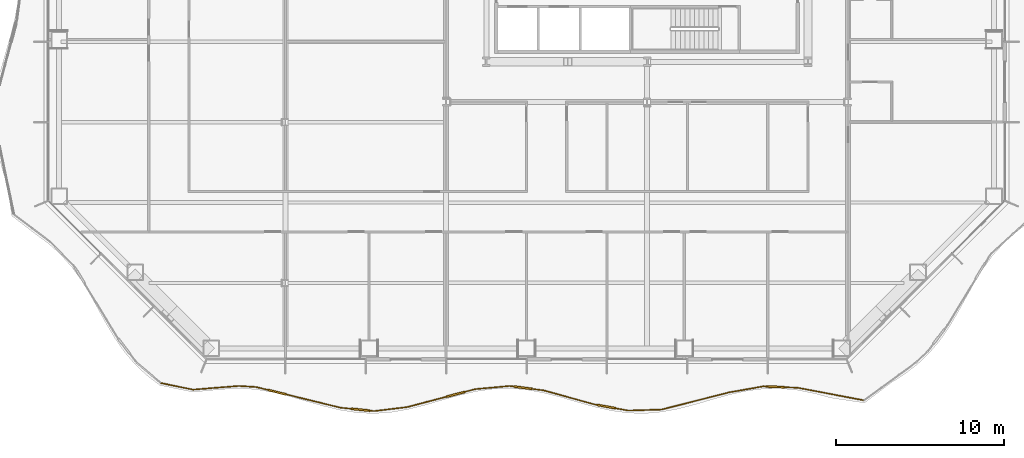
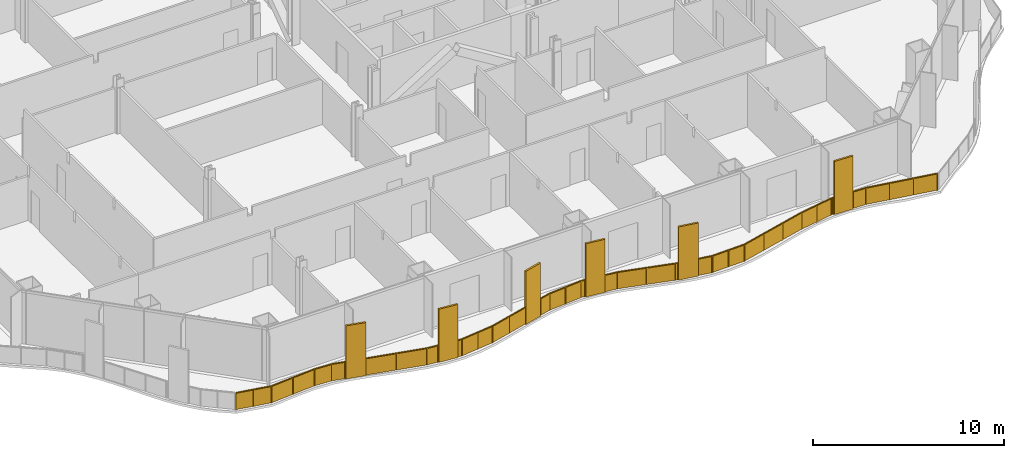
# One storey, part 15 of 20: 1 railing.
"""IFC4 building model written with IfcOpenShell, lengths in metres."""

from ifc_helpers import new_model, si_unit, direction, frame, origin, origin_2d, place, context, subcontext, project, spatial, polyline, rectangle, outline, extrude, material, type_object, element, save


model = new_model("IFC4")

# Units and contexts
model_context = context("Model", 3, precision=1e-05, world=origin(), true_north=direction((0.0, 1.0)))
body_context = subcontext(model_context, "Body", "Model", "MODEL_VIEW")
ifc_project = project(units=[si_unit("LENGTHUNIT", "METRE"), si_unit("AREAUNIT", "SQUARE_METRE"), si_unit("VOLUMEUNIT", "CUBIC_METRE"), si_unit("PLANEANGLEUNIT", "RADIAN"), si_unit("MASSUNIT", "GRAM", prefix="KILO")], contexts=[model_context])

# Site, building, storey
site_placement = place(None, origin())
site = spatial("IfcSite", under=ifc_project, at=site_placement, CompositionType="ELEMENT")
building_placement = place(site_placement, origin())
building = spatial("IfcBuilding", under=site, at=building_placement, Name="Cairn Pilgrim Tower", CompositionType="ELEMENT")
storey_placement = place(building_placement, frame((0.0, 0.0, 61.800048828125)))
storey = spatial("IfcBuildingStorey", under=building, at=storey_placement, Name="L13", CompositionType="ELEMENT", Elevation=61.800048828125)

# Railing
ifc_material = material(Name="Bronze anodised aluminium rail, posts and fin screens with laminated glass infill", Category="aluminium")
railing_type = type_object("IfcRailingType", Name="BALCONY GUARD WITH FIN SCREENS", PredefinedType="GUARDRAIL", material=ifc_material)
railing_placement = place(storey_placement, frame((-21.821044921875, -25.177734375, 0.0)))
element("IfcRailing", 1, at=railing_placement, inside=storey, type_object=railing_type, Name="Balcony guard BGF-8 with fin screens", PredefinedType="GUARDRAIL", context=body_context, shape_type="SweptSolid", body=[
    extrude(rectangle(XDim=0.050048828125, YDim=0.050048828125, at=origin_2d()), frame((0.0, 0.0, 1.0751953125), z_axis=(0.979883776445, -0.199568997239, 0.0), x_axis=(0.199568997239, 0.979883776445, 0.0)), (0.0, 0.0, 1.0), 1.957275390625),
    extrude(rectangle(XDim=0.050048828125, YDim=0.050048828125, at=origin_2d()), frame((1.91796875, -0.390625, 1.0751953125), z_axis=(0.996787936662, 0.080086261769, 0.0), x_axis=(-0.080086261769, 0.996787936662, 0.0)), (0.0, 0.0, 1.0), 2.7314453125),
    extrude(rectangle(XDim=0.050048828125, YDim=0.050048828125, at=origin_2d()), frame((4.640625, -0.171875, 1.0751953125), z_axis=(0.998193842621, -0.060075390576, 0.0), x_axis=(0.060075390576, 0.998193842621, 0.0)), (0.0, 0.0, 1.0), 1.036376953125),
    extrude(rectangle(XDim=1.10009765625, YDim=0.110107421875, at=origin_2d()), frame((6.9384765625, -0.54345703125, 0.0), z_axis=(0.0, 0.0, 1.0), x_axis=(0.971322740199, -0.237764872033, 0.0)), (0.0, 0.0, 1.0), 3.39990234375),
    extrude(rectangle(XDim=0.050048828125, YDim=0.050048828125, at=origin_2d()), frame((5.675048828125, -0.234130859375, 1.0751953125), z_axis=(0.971322740199, -0.237764872033, 0.0), x_axis=(0.237764872033, 0.971322740199, 0.0)), (0.0, 0.0, 1.0), 0.750732421875),
    extrude(rectangle(XDim=0.050048828125, YDim=0.050048828125, at=origin_2d()), frame((7.472900390625, -0.674072265625, 1.0751953125), z_axis=(0.971322740199, -0.237764872033, 0.0), x_axis=(0.237764872033, 0.971322740199, 0.0)), (0.0, 0.0, 1.0), 3.35400390625),
    extrude(rectangle(XDim=1.10009765625, YDim=0.110107421875, at=origin_2d()), frame((11.919921875, -1.59033203125, 0.0), z_axis=(0.0, 0.0, 1.0), x_axis=(0.995057676602, -0.099298641659, 0.0)), (0.0, 0.0, 1.0), 3.39990234375),
    extrude(rectangle(XDim=0.050048828125, YDim=0.050048828125, at=origin_2d()), frame((10.730712890625, -1.4716796875, 1.0751953125), z_axis=(0.995057676602, -0.099298641659, 0.0), x_axis=(0.099298641659, 0.995057676602, 0.0)), (0.0, 0.0, 1.0), 0.64501953125),
    extrude(rectangle(XDim=0.050048828125, YDim=0.050048828125, at=origin_2d()), frame((12.467041015625, -1.64501953125, 1.0751953125), z_axis=(0.995057676602, -0.099298641659, 0.0), x_axis=(0.099298641659, 0.995057676602, 0.0)), (0.0, 0.0, 1.0), 0.2587890625),
    extrude(rectangle(XDim=0.050048828125, YDim=0.050048828125, at=origin_2d()), frame((12.724609375, -1.670654296875, 1.0751953125), z_axis=(0.992678251449, 0.120788613287, 0.0), x_axis=(-0.120788613287, 0.992678251449, 0.0)), (0.0, 0.0, 1.0), 2.009033203125),
    extrude(rectangle(XDim=1.10009765625, YDim=0.110107421875, at=origin_2d()), frame((17.575927734375, -0.67333984375, 0.0), z_axis=(0.0, 0.0, 1.0), x_axis=(0.966851144453, 0.255340683145, 0.0)), (0.0, 0.0, 1.0), 3.39990234375),
    extrude(rectangle(XDim=0.050048828125, YDim=0.050048828125, at=origin_2d()), frame((14.718994140625, -1.427978515625, 1.0751953125), z_axis=(0.966851144453, 0.255340683145, 0.0), x_axis=(-0.255340683145, 0.966851144453, 0.0)), (0.0, 0.0, 1.0), 2.405029296875),
    extrude(rectangle(XDim=0.050048828125, YDim=0.050048828125, at=origin_2d()), frame((18.10791015625, -0.532958984375, 1.0751953125), z_axis=(0.966851144453, 0.255340683145, 0.0), x_axis=(-0.255340683145, 0.966851144453, 0.0)), (0.0, 0.0, 1.0), 0.677978515625),
    extrude(rectangle(XDim=0.050048828125, YDim=0.050048828125, at=origin_2d()), frame((18.763427734375, -0.35986328125, 1.0751953125), z_axis=(0.995886398722, 0.09061060005, 0.0), x_axis=(-0.09061060005, 0.995886398722, 0.0)), (0.0, 0.0, 1.0), 2.05859375),
    extrude(rectangle(XDim=1.10009765625, YDim=0.110107421875, at=origin_2d()), frame((21.59912109375, -0.275634765625, 0.0), z_axis=(0.0, 0.0, 1.0), x_axis=(0.991616883413, -0.129212834236, 0.0)), (0.0, 0.0, 1.0), 3.39990234375),
    extrude(rectangle(XDim=0.050048828125, YDim=0.050048828125, at=origin_2d()), frame((20.8134765625, -0.17333984375, 1.0751953125), z_axis=(0.991616883413, -0.129212834236, 0.0), x_axis=(0.129212834236, 0.991616883413, 0.0)), (0.0, 0.0, 1.0), 0.242431640625),
    extrude(rectangle(XDim=0.050048828125, YDim=0.050048828125, at=origin_2d()), frame((22.14453125, -0.3466796875, 1.0751953125), z_axis=(0.991616883413, -0.129212834236, 0.0), x_axis=(0.129212834236, 0.991616883413, 0.0)), (0.0, 0.0, 1.0), 0.72265625),
    extrude(rectangle(XDim=0.050048828125, YDim=0.050048828125, at=origin_2d()), frame((22.861328125, -0.440185546875, 1.0751953125), z_axis=(0.964002899306, -0.265891726329, 0.0), x_axis=(0.265891726329, 0.964002899306, 0.0)), (0.0, 0.0, 1.0), 3.1484375),
    extrude(rectangle(XDim=1.10009765625, YDim=0.110107421875, at=origin_2d()), frame((26.58544921875, -1.402587890625, 0.0), z_axis=(0.0, 0.0, 1.0), x_axis=(0.983885287181, -0.178800843591, 0.0)), (0.0, 0.0, 1.0), 3.39990234375),
    extrude(rectangle(XDim=0.050048828125, YDim=0.050048828125, at=origin_2d()), frame((25.896484375, -1.27734375, 1.0751953125), z_axis=(0.983885287181, -0.178800843591, 0.0), x_axis=(0.178800843591, 0.983885287181, 0.0)), (0.0, 0.0, 1.0), 0.150146484375),
    extrude(rectangle(XDim=0.050048828125, YDim=0.050048828125, at=origin_2d()), frame((27.12646484375, -1.5009765625, 1.0751953125), z_axis=(0.983885287181, -0.178800843591, 0.0), x_axis=(0.178800843591, 0.983885287181, 0.0)), (0.0, 0.0, 1.0), 0.78173828125),
    extrude(rectangle(XDim=0.050048828125, YDim=0.050048828125, at=origin_2d()), frame((27.8955078125, -1.640625, 1.0751953125), z_axis=(0.999529397147, 0.030675466399, 0.0), x_axis=(-0.030675466399, 0.999529397147, 0.0)), (0.0, 0.0, 1.0), 1.98974609375),
    extrude(rectangle(XDim=0.050048828125, YDim=0.050048828125, at=origin_2d()), frame((29.88427734375, -1.57958984375, 1.0751953125), z_axis=(0.969034911009, 0.246923755936, 0.0), x_axis=(-0.246923755936, 0.969034911009, 0.0)), (0.0, 0.0, 1.0), 4.16064453125),
    extrude(rectangle(XDim=0.050048828125, YDim=0.050048828125, at=origin_2d()), frame((33.916015625, -0.55224609375, 1.0751953125), z_axis=(0.985151194634, 0.171689032008, 0.0), x_axis=(-0.171689032008, 0.985151194634, 0.0)), (0.0, 0.0, 1.0), 2.0732421875),
    extrude(rectangle(XDim=1.10009765625, YDim=0.110107421875, at=origin_2d()), frame((36.657958984375, -0.224365234375, 0.0), z_axis=(0.0, 0.0, 1.0), x_axis=(0.999194094407, -0.040139278795, 0.0)), (0.0, 0.0, 1.0), 3.39990234375),
    extrude(rectangle(XDim=0.050048828125, YDim=0.050048828125, at=origin_2d()), frame((35.95849609375, -0.1962890625, 1.0751953125), z_axis=(0.999194094407, -0.040139278795, 0.0), x_axis=(0.040139278795, 0.999194094407, 0.0)), (0.0, 0.0, 1.0), 0.150146484375),
    extrude(rectangle(XDim=0.050048828125, YDim=0.050048828125, at=origin_2d()), frame((37.20751953125, -0.24658203125, 1.0751953125), z_axis=(0.999194094407, -0.040139278795, 0.0), x_axis=(0.040139278795, 0.999194094407, 0.0)), (0.0, 0.0, 1.0), 0.7998046875),
    extrude(rectangle(XDim=0.050048828125, YDim=0.050048828125, at=origin_2d()), frame((38.006591796875, -0.278564453125, 1.0751953125), z_axis=(0.982461085783, -0.186467731586, 0.0), x_axis=(0.186467731586, 0.982461085783, 0.0)), (0.0, 0.0, 1.0), 3.9697265625),
    extrude(rectangle(XDim=0.050048828125, YDim=0.050048828125, at=origin_2d()), origin(), (0.0, 0.0, 1.0), 1.050048828125),
    extrude(rectangle(XDim=0.050048828125, YDim=0.050048828125, at=origin_2d()), frame((0.958984375, -0.1953125, 0.0)), (0.0, 0.0, 1.0), 1.050048828125),
    extrude(rectangle(XDim=0.050048828125, YDim=0.050048828125, at=origin_2d()), frame((1.91796875, -0.390625, 0.0)), (0.0, 0.0, 1.0), 1.050048828125),
    extrude(rectangle(XDim=0.050048828125, YDim=0.050048828125, at=origin_2d()), frame((3.279296875, -0.28125, 0.0)), (0.0, 0.0, 1.0), 1.050048828125),
    extrude(rectangle(XDim=0.050048828125, YDim=0.050048828125, at=origin_2d()), frame((4.640625, -0.171875, 0.0)), (0.0, 0.0, 1.0), 1.050048828125),
    extrude(rectangle(XDim=0.050048828125, YDim=0.050048828125, at=origin_2d()), frame((5.675048828125, -0.234130859375, 0.0)), (0.0, 0.0, 1.0), 1.050048828125),
    extrude(rectangle(XDim=0.050048828125, YDim=0.050048828125, at=origin_2d()), frame((6.380126953125, -0.40673828125, 0.0)), (0.0, 0.0, 1.0), 1.050048828125),
    extrude(rectangle(XDim=0.050048828125, YDim=0.050048828125, at=origin_2d()), frame((7.4970703125, -0.68017578125, 0.0)), (0.0, 0.0, 1.0), 1.050048828125),
    extrude(rectangle(XDim=0.050048828125, YDim=0.050048828125, at=origin_2d()), frame((9.114013671875, -1.075927734375, 0.0)), (0.0, 0.0, 1.0), 1.050048828125),
    extrude(rectangle(XDim=0.050048828125, YDim=0.050048828125, at=origin_2d()), frame((10.730712890625, -1.4716796875, 0.0)), (0.0, 0.0, 1.0), 1.050048828125),
    extrude(rectangle(XDim=0.050048828125, YDim=0.050048828125, at=origin_2d()), frame((11.34765625, -1.533203125, 0.0)), (0.0, 0.0, 1.0), 1.050048828125),
    extrude(rectangle(XDim=0.050048828125, YDim=0.050048828125, at=origin_2d()), frame((12.491943359375, -1.6474609375, 0.0)), (0.0, 0.0, 1.0), 1.050048828125),
    extrude(rectangle(XDim=0.050048828125, YDim=0.050048828125, at=origin_2d()), frame((12.724609375, -1.670654296875, 0.0)), (0.0, 0.0, 1.0), 1.050048828125),
    extrude(rectangle(XDim=0.050048828125, YDim=0.050048828125, at=origin_2d()), frame((13.7216796875, -1.54931640625, 0.0)), (0.0, 0.0, 1.0), 1.050048828125),
    extrude(rectangle(XDim=0.050048828125, YDim=0.050048828125, at=origin_2d()), frame((14.718994140625, -1.427978515625, 0.0)), (0.0, 0.0, 1.0), 1.050048828125),
    extrude(rectangle(XDim=0.050048828125, YDim=0.050048828125, at=origin_2d()), frame((15.86962890625, -1.1240234375, 0.0)), (0.0, 0.0, 1.0), 1.050048828125),
    extrude(rectangle(XDim=0.050048828125, YDim=0.050048828125, at=origin_2d()), frame((17.02001953125, -0.8203125, 0.0)), (0.0, 0.0, 1.0), 1.050048828125),
    extrude(rectangle(XDim=0.050048828125, YDim=0.050048828125, at=origin_2d()), frame((18.132080078125, -0.526611328125, 0.0)), (0.0, 0.0, 1.0), 1.050048828125),
    extrude(rectangle(XDim=0.050048828125, YDim=0.050048828125, at=origin_2d()), frame((18.763427734375, -0.35986328125, 0.0)), (0.0, 0.0, 1.0), 1.050048828125),
    extrude(rectangle(XDim=0.050048828125, YDim=0.050048828125, at=origin_2d()), frame((19.78857421875, -0.2666015625, 0.0)), (0.0, 0.0, 1.0), 1.050048828125),
    extrude(rectangle(XDim=0.050048828125, YDim=0.050048828125, at=origin_2d()), frame((20.8134765625, -0.17333984375, 0.0)), (0.0, 0.0, 1.0), 1.050048828125),
    extrude(rectangle(XDim=0.050048828125, YDim=0.050048828125, at=origin_2d()), frame((21.029052734375, -0.201416015625, 0.0)), (0.0, 0.0, 1.0), 1.050048828125),
    extrude(rectangle(XDim=0.050048828125, YDim=0.050048828125, at=origin_2d()), frame((22.16943359375, -0.35009765625, 0.0)), (0.0, 0.0, 1.0), 1.050048828125),
    extrude(rectangle(XDim=0.050048828125, YDim=0.050048828125, at=origin_2d()), frame((22.861328125, -0.440185546875, 0.0)), (0.0, 0.0, 1.0), 1.050048828125),
    extrude(rectangle(XDim=0.050048828125, YDim=0.050048828125, at=origin_2d()), frame((24.37890625, -0.85888671875, 0.0)), (0.0, 0.0, 1.0), 1.050048828125),
    extrude(rectangle(XDim=0.050048828125, YDim=0.050048828125, at=origin_2d()), frame((25.896484375, -1.27734375, 0.0)), (0.0, 0.0, 1.0), 1.050048828125),
    extrude(rectangle(XDim=0.050048828125, YDim=0.050048828125, at=origin_2d()), frame((26.01953125, -1.2998046875, 0.0)), (0.0, 0.0, 1.0), 1.050048828125),
    extrude(rectangle(XDim=0.050048828125, YDim=0.050048828125, at=origin_2d()), frame((27.151123046875, -1.50537109375, 0.0)), (0.0, 0.0, 1.0), 1.050048828125),
    extrude(rectangle(XDim=0.050048828125, YDim=0.050048828125, at=origin_2d()), frame((27.8955078125, -1.640625, 0.0)), (0.0, 0.0, 1.0), 1.050048828125),
    extrude(rectangle(XDim=0.050048828125, YDim=0.050048828125, at=origin_2d()), frame((28.889892578125, -1.610107421875, 0.0)), (0.0, 0.0, 1.0), 1.050048828125),
    extrude(rectangle(XDim=0.050048828125, YDim=0.050048828125, at=origin_2d()), frame((29.88427734375, -1.57958984375, 0.0)), (0.0, 0.0, 1.0), 1.050048828125),
    extrude(rectangle(XDim=0.050048828125, YDim=0.050048828125, at=origin_2d()), frame((31.228271484375, -1.237060546875, 0.0)), (0.0, 0.0, 1.0), 1.050048828125),
    extrude(rectangle(XDim=0.050048828125, YDim=0.050048828125, at=origin_2d()), frame((32.572021484375, -0.894775390625, 0.0)), (0.0, 0.0, 1.0), 1.050048828125),
    extrude(rectangle(XDim=0.050048828125, YDim=0.050048828125, at=origin_2d()), frame((33.916015625, -0.55224609375, 0.0)), (0.0, 0.0, 1.0), 1.050048828125),
    extrude(rectangle(XDim=0.050048828125, YDim=0.050048828125, at=origin_2d()), frame((34.937255859375, -0.374267578125, 0.0)), (0.0, 0.0, 1.0), 1.050048828125),
    extrude(rectangle(XDim=0.050048828125, YDim=0.050048828125, at=origin_2d()), frame((35.95849609375, -0.1962890625, 0.0)), (0.0, 0.0, 1.0), 1.050048828125),
    extrude(rectangle(XDim=0.050048828125, YDim=0.050048828125, at=origin_2d()), frame((36.08349609375, -0.201416015625, 0.0)), (0.0, 0.0, 1.0), 1.050048828125),
    extrude(rectangle(XDim=0.050048828125, YDim=0.050048828125, at=origin_2d()), frame((37.232421875, -0.24755859375, 0.0)), (0.0, 0.0, 1.0), 1.050048828125),
    extrude(rectangle(XDim=0.050048828125, YDim=0.050048828125, at=origin_2d()), frame((38.006591796875, -0.278564453125, 0.0)), (0.0, 0.0, 1.0), 1.050048828125),
    extrude(rectangle(XDim=0.050048828125, YDim=0.050048828125, at=origin_2d()), frame((39.306640625, -0.525390625, 0.0)), (0.0, 0.0, 1.0), 1.050048828125),
    extrude(rectangle(XDim=0.050048828125, YDim=0.050048828125, at=origin_2d()), frame((40.606689453125, -0.77197265625, 0.0)), (0.0, 0.0, 1.0), 1.050048828125),
    extrude(rectangle(XDim=0.050048828125, YDim=0.050048828125, at=origin_2d()), frame((41.90673828125, -1.018798828125, 0.0)), (0.0, 0.0, 1.0), 1.050048828125),
    extrude(outline(polyline([(0.02490234375, 0.0), (0.95361328125, 0.0), (0.95361328125, 1.050048828125), (0.02490234375, 1.050048828125), (0.02490234375, 0.0)])), frame((0.001220703125, 0.005859375, 0.0), z_axis=(-0.199568997239, -0.979883776445, 0.0), x_axis=(0.979883776445, -0.199568997239, 0.0)), (0.0, 0.0, 1.0), 0.011962890625),
    extrude(outline(polyline([(0.02490234375, 0.0), (0.95361328125, 0.0), (0.95361328125, 1.050048828125), (0.02490234375, 1.050048828125), (0.02490234375, 0.0)])), frame((0.960205078125, -0.189453125, 0.0), z_axis=(-0.199568997239, -0.979883776445, 0.0), x_axis=(0.979883776445, -0.199568997239, 0.0)), (0.0, 0.0, 1.0), 0.011962890625),
    extrude(outline(polyline([(0.02490234375, 0.0), (1.340576171875, 0.0), (1.340576171875, 1.050048828125), (0.02490234375, 1.050048828125), (0.02490234375, 0.0)])), frame((1.91748046875, -0.384765625, 0.0), z_axis=(0.080086261769, -0.996787936662, 0.0), x_axis=(0.996787936662, 0.080086261769, 0.0)), (0.0, 0.0, 1.0), 0.011962890625),
    extrude(outline(polyline([(0.02490234375, 0.0), (1.340576171875, 0.0), (1.340576171875, 1.050048828125), (0.02490234375, 1.050048828125), (0.02490234375, 0.0)])), frame((3.27880859375, -0.275390625, 0.0), z_axis=(0.080086261769, -0.996787936662, 0.0), x_axis=(0.996787936662, 0.080086261769, 0.0)), (0.0, 0.0, 1.0), 0.011962890625),
    extrude(outline(polyline([(0.02490234375, 0.0), (1.01123046875, 0.0), (1.01123046875, 1.050048828125), (0.02490234375, 1.050048828125), (0.02490234375, 0.0)])), frame((4.640869140625, -0.166015625, 0.0), z_axis=(-0.060075390576, -0.998193842621, 0.0), x_axis=(0.998193842621, -0.060075390576, 0.0)), (0.0, 0.0, 1.0), 0.011962890625),
    extrude(outline(polyline([(0.02490234375, 0.0), (0.70068359375, 0.0), (0.70068359375, 1.050048828125), (0.02490234375, 1.050048828125), (0.02490234375, 0.0)])), frame((5.676513671875, -0.228271484375, 0.0), z_axis=(-0.237764872033, -0.971322740199, 0.0), x_axis=(0.971322740199, -0.237764872033, 0.0)), (0.0, 0.0, 1.0), 0.011962890625),
    extrude(outline(polyline([(0.02490234375, 0.0), (1.639404296875, 0.0), (1.639404296875, 1.050048828125), (0.02490234375, 1.050048828125), (0.02490234375, 0.0)])), frame((7.49853515625, -0.67431640625, 0.0), z_axis=(-0.237764872033, -0.971322740199, 0.0), x_axis=(0.971322740199, -0.237764872033, 0.0)), (0.0, 0.0, 1.0), 0.011962890625),
    extrude(outline(polyline([(0.02490234375, 0.0), (1.639404296875, 0.0), (1.639404296875, 1.050048828125), (0.02490234375, 1.050048828125), (0.02490234375, 0.0)])), frame((9.115234375, -1.070068359375, 0.0), z_axis=(-0.237764872033, -0.971322740199, 0.0), x_axis=(0.971322740199, -0.237764872033, 0.0)), (0.0, 0.0, 1.0), 0.011962890625),
    extrude(outline(polyline([(0.02490234375, 0.0), (0.594970703125, 0.0), (0.594970703125, 1.050048828125), (0.02490234375, 1.050048828125), (0.02490234375, 0.0)])), frame((10.731201171875, -1.4658203125, 0.0), z_axis=(-0.099298641659, -0.995057676602, 0.0), x_axis=(0.995057676602, -0.099298641659, 0.0)), (0.0, 0.0, 1.0), 0.011962890625),
    extrude(outline(polyline([(0.02490234375, 0.0), (0.208740234375, 0.0), (0.208740234375, 1.050048828125), (0.02490234375, 1.050048828125), (0.02490234375, 0.0)])), frame((12.49267578125, -1.6416015625, 0.0), z_axis=(-0.099298641659, -0.995057676602, 0.0), x_axis=(0.995057676602, -0.099298641659, 0.0)), (0.0, 0.0, 1.0), 0.011962890625),
    extrude(outline(polyline([(0.02490234375, 0.0), (0.9794921875, 0.0), (0.9794921875, 1.050048828125), (0.02490234375, 1.050048828125), (0.02490234375, 0.0)])), frame((12.723876953125, -1.664794921875, 0.0), z_axis=(0.120788613287, -0.992678251449, 0.0), x_axis=(0.992678251449, 0.120788613287, 0.0)), (0.0, 0.0, 1.0), 0.011962890625),
    extrude(outline(polyline([(0.02490234375, 0.0), (0.9794921875, 0.0), (0.9794921875, 1.050048828125), (0.02490234375, 1.050048828125), (0.02490234375, 0.0)])), frame((13.72119140625, -1.54345703125, 0.0), z_axis=(0.120788613287, -0.992678251449, 0.0), x_axis=(0.992678251449, 0.120788613287, 0.0)), (0.0, 0.0, 1.0), 0.011962890625),
    extrude(outline(polyline([(0.02490234375, 0.0), (1.1650390625, 0.0), (1.1650390625, 1.050048828125), (0.02490234375, 1.050048828125), (0.02490234375, 0.0)])), frame((14.717529296875, -1.422119140625, 0.0), z_axis=(0.255340683145, -0.966851144453, 0.0), x_axis=(0.966851144453, 0.255340683145, 0.0)), (0.0, 0.0, 1.0), 0.011962890625),
    extrude(outline(polyline([(0.02490234375, 0.0), (1.1650390625, 0.0), (1.1650390625, 1.050048828125), (0.02490234375, 1.050048828125), (0.02490234375, 0.0)])), frame((15.867919921875, -1.118408203125, 0.0), z_axis=(0.255340683145, -0.966851144453, 0.0), x_axis=(0.966851144453, 0.255340683145, 0.0)), (0.0, 0.0, 1.0), 0.011962890625),
    extrude(outline(polyline([(0.02490234375, 0.0), (0.6279296875, 0.0), (0.6279296875, 1.050048828125), (0.02490234375, 1.050048828125), (0.02490234375, 0.0)])), frame((18.13037109375, -0.520751953125, 0.0), z_axis=(0.255340683145, -0.966851144453, 0.0), x_axis=(0.966851144453, 0.255340683145, 0.0)), (0.0, 0.0, 1.0), 0.011962890625),
    extrude(outline(polyline([(0.02490234375, 0.0), (1.004150390625, 0.0), (1.004150390625, 1.050048828125), (0.02490234375, 1.050048828125), (0.02490234375, 0.0)])), frame((18.762939453125, -0.35400390625, 0.0), z_axis=(0.09061060005, -0.995886398722, 0.0), x_axis=(0.995886398722, 0.09061060005, 0.0)), (0.0, 0.0, 1.0), 0.011962890625),
    extrude(outline(polyline([(0.02490234375, 0.0), (1.004150390625, 0.0), (1.004150390625, 1.050048828125), (0.02490234375, 1.050048828125), (0.02490234375, 0.0)])), frame((19.787841796875, -0.2607421875, 0.0), z_axis=(0.09061060005, -0.995886398722, 0.0), x_axis=(0.995886398722, 0.09061060005, 0.0)), (0.0, 0.0, 1.0), 0.011962890625),
    extrude(outline(polyline([(0.02490234375, 0.0), (0.1923828125, 0.0), (0.1923828125, 1.050048828125), (0.02490234375, 1.050048828125), (0.02490234375, 0.0)])), frame((20.814208984375, -0.16748046875, 0.0), z_axis=(-0.129212834236, -0.991616883413, 0.0), x_axis=(0.991616883413, -0.129212834236, 0.0)), (0.0, 0.0, 1.0), 0.011962890625),
    extrude(outline(polyline([(0.02490234375, 0.0), (0.672607421875, 0.0), (0.672607421875, 1.050048828125), (0.02490234375, 1.050048828125), (0.02490234375, 0.0)])), frame((22.170166015625, -0.343994140625, 0.0), z_axis=(-0.129212834236, -0.991616883413, 0.0), x_axis=(0.991616883413, -0.129212834236, 0.0)), (0.0, 0.0, 1.0), 0.011962890625),
    extrude(outline(polyline([(0.02490234375, 0.0), (1.54931640625, 0.0), (1.54931640625, 1.050048828125), (0.02490234375, 1.050048828125), (0.02490234375, 0.0)])), frame((22.863037109375, -0.434326171875, 0.0), z_axis=(-0.265891726329, -0.964002899306, 0.0), x_axis=(0.964002899306, -0.265891726329, 0.0)), (0.0, 0.0, 1.0), 0.011962890625),
    extrude(outline(polyline([(0.02490234375, 0.0), (1.54931640625, 0.0), (1.54931640625, 1.050048828125), (0.02490234375, 1.050048828125), (0.02490234375, 0.0)])), frame((24.380615234375, -0.85302734375, 0.0), z_axis=(-0.265891726329, -0.964002899306, 0.0), x_axis=(0.964002899306, -0.265891726329, 0.0)), (0.0, 0.0, 1.0), 0.011962890625),
    extrude(outline(polyline([(0.02490234375, 0.0), (0.10009765625, 0.0), (0.10009765625, 1.050048828125), (0.02490234375, 1.050048828125), (0.02490234375, 0.0)])), frame((25.8974609375, -1.271484375, 0.0), z_axis=(-0.178800843591, -0.983885287181, 0.0), x_axis=(0.983885287181, -0.178800843591, 0.0)), (0.0, 0.0, 1.0), 0.011962890625),
    extrude(outline(polyline([(0.02490234375, 0.0), (0.731689453125, 0.0), (0.731689453125, 1.050048828125), (0.02490234375, 1.050048828125), (0.02490234375, 0.0)])), frame((27.152099609375, -1.49951171875, 0.0), z_axis=(-0.178800843591, -0.983885287181, 0.0), x_axis=(0.983885287181, -0.178800843591, 0.0)), (0.0, 0.0, 1.0), 0.011962890625),
    extrude(outline(polyline([(0.02490234375, 0.0), (0.9697265625, 0.0), (0.9697265625, 1.050048828125), (0.02490234375, 1.050048828125), (0.02490234375, 0.0)])), frame((27.895263671875, -1.634765625, 0.0), z_axis=(0.030675466399, -0.999529397147, 0.0), x_axis=(0.999529397147, 0.030675466399, 0.0)), (0.0, 0.0, 1.0), 0.011962890625),
    extrude(outline(polyline([(0.02490234375, 0.0), (0.9697265625, 0.0), (0.9697265625, 1.050048828125), (0.02490234375, 1.050048828125), (0.02490234375, 0.0)])), frame((28.8896484375, -1.604248046875, 0.0), z_axis=(0.030675466399, -0.999529397147, 0.0), x_axis=(0.999529397147, 0.030675466399, 0.0)), (0.0, 0.0, 1.0), 0.011962890625),
    extrude(outline(polyline([(0.02490234375, 0.0), (1.36181640625, 0.0), (1.36181640625, 1.050048828125), (0.02490234375, 1.050048828125), (0.02490234375, 0.0)])), frame((29.8828125, -1.57373046875, 0.0), z_axis=(0.246923755936, -0.969034911009, 0.0), x_axis=(0.969034911009, 0.246923755936, 0.0)), (0.0, 0.0, 1.0), 0.011962890625),
    extrude(outline(polyline([(0.02490234375, 0.0), (1.36181640625, 0.0), (1.36181640625, 1.050048828125), (0.02490234375, 1.050048828125), (0.02490234375, 0.0)])), frame((31.226806640625, -1.2314453125, 0.0), z_axis=(0.246923755936, -0.969034911009, 0.0), x_axis=(0.969034911009, 0.246923755936, 0.0)), (0.0, 0.0, 1.0), 0.011962890625),
    extrude(outline(polyline([(0.02490234375, 0.0), (1.36181640625, 0.0), (1.36181640625, 1.050048828125), (0.02490234375, 1.050048828125), (0.02490234375, 0.0)])), frame((32.570556640625, -0.888916015625, 0.0), z_axis=(0.246923755936, -0.969034911009, 0.0), x_axis=(0.969034911009, 0.246923755936, 0.0)), (0.0, 0.0, 1.0), 0.011962890625),
    extrude(outline(polyline([(0.02490234375, 0.0), (1.01171875, 0.0), (1.01171875, 1.050048828125), (0.02490234375, 1.050048828125), (0.02490234375, 0.0)])), frame((33.9150390625, -0.54638671875, 0.0), z_axis=(0.171689032008, -0.985151194634, 0.0), x_axis=(0.985151194634, 0.171689032008, 0.0)), (0.0, 0.0, 1.0), 0.011962890625),
    extrude(outline(polyline([(0.02490234375, 0.0), (1.01171875, 0.0), (1.01171875, 1.050048828125), (0.02490234375, 1.050048828125), (0.02490234375, 0.0)])), frame((34.936279296875, -0.368408203125, 0.0), z_axis=(0.171689032008, -0.985151194634, 0.0), x_axis=(0.985151194634, 0.171689032008, 0.0)), (0.0, 0.0, 1.0), 0.011962890625),
    extrude(outline(polyline([(0.02490234375, 0.0), (0.10009765625, 0.0), (0.10009765625, 1.050048828125), (0.02490234375, 1.050048828125), (0.02490234375, 0.0)])), frame((35.958740234375, -0.1904296875, 0.0), z_axis=(-0.040139278795, -0.999194094407, 0.0), x_axis=(0.999194094407, -0.040139278795, 0.0)), (0.0, 0.0, 1.0), 0.011962890625),
    extrude(outline(polyline([(0.02490234375, 0.0), (0.749755859375, 0.0), (0.749755859375, 1.050048828125), (0.02490234375, 1.050048828125), (0.02490234375, 0.0)])), frame((37.232666015625, -0.241455078125, 0.0), z_axis=(-0.040139278795, -0.999194094407, 0.0), x_axis=(0.999194094407, -0.040139278795, 0.0)), (0.0, 0.0, 1.0), 0.011962890625),
    extrude(outline(polyline([(0.02490234375, 0.0), (1.29833984375, 0.0), (1.29833984375, 1.050048828125), (0.02490234375, 1.050048828125), (0.02490234375, 0.0)])), frame((38.0078125, -0.272705078125, 0.0), z_axis=(-0.186467731586, -0.982461085783, 0.0), x_axis=(0.982461085783, -0.186467731586, 0.0)), (0.0, 0.0, 1.0), 0.011962890625),
    extrude(outline(polyline([(0.02490234375, 0.0), (1.29833984375, 0.0), (1.29833984375, 1.050048828125), (0.02490234375, 1.050048828125), (0.02490234375, 0.0)])), frame((39.307861328125, -0.51953125, 0.0), z_axis=(-0.186467731586, -0.982461085783, 0.0), x_axis=(0.982461085783, -0.186467731586, 0.0)), (0.0, 0.0, 1.0), 0.011962890625),
    extrude(outline(polyline([(0.02490234375, 0.0), (1.29833984375, 0.0), (1.29833984375, 1.050048828125), (0.02490234375, 1.050048828125), (0.02490234375, 0.0)])), frame((40.60791015625, -0.76611328125, 0.0), z_axis=(-0.186467731586, -0.982461085783, 0.0), x_axis=(0.982461085783, -0.186467731586, 0.0)), (0.0, 0.0, 1.0), 0.011962890625),
])

save(model, "model.ifc")
